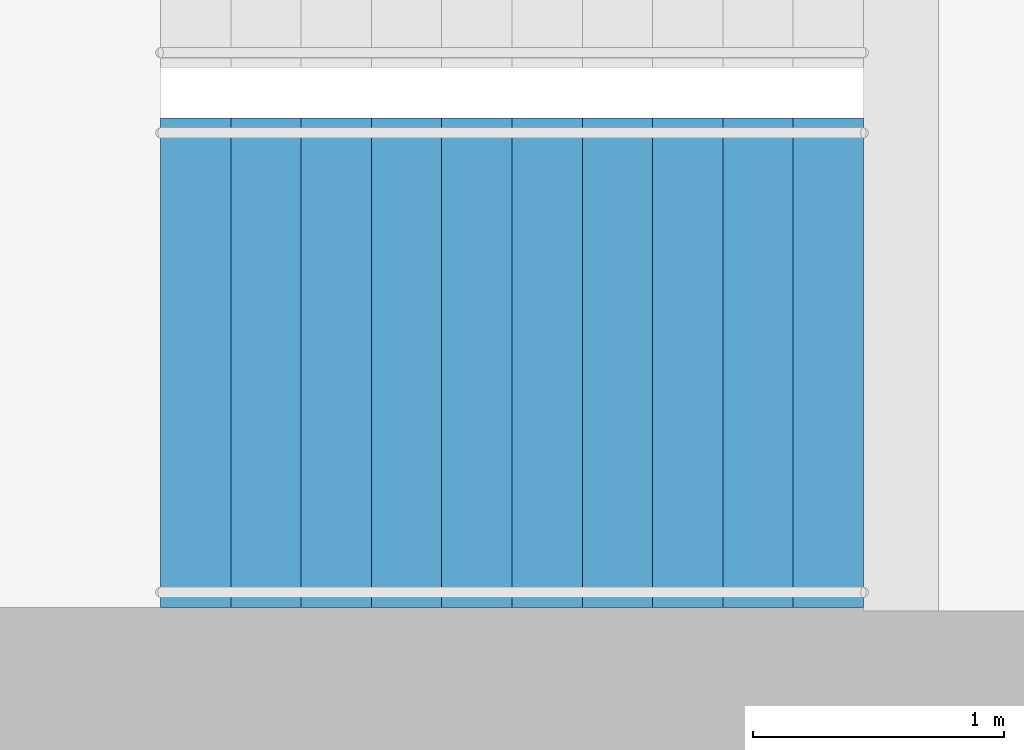
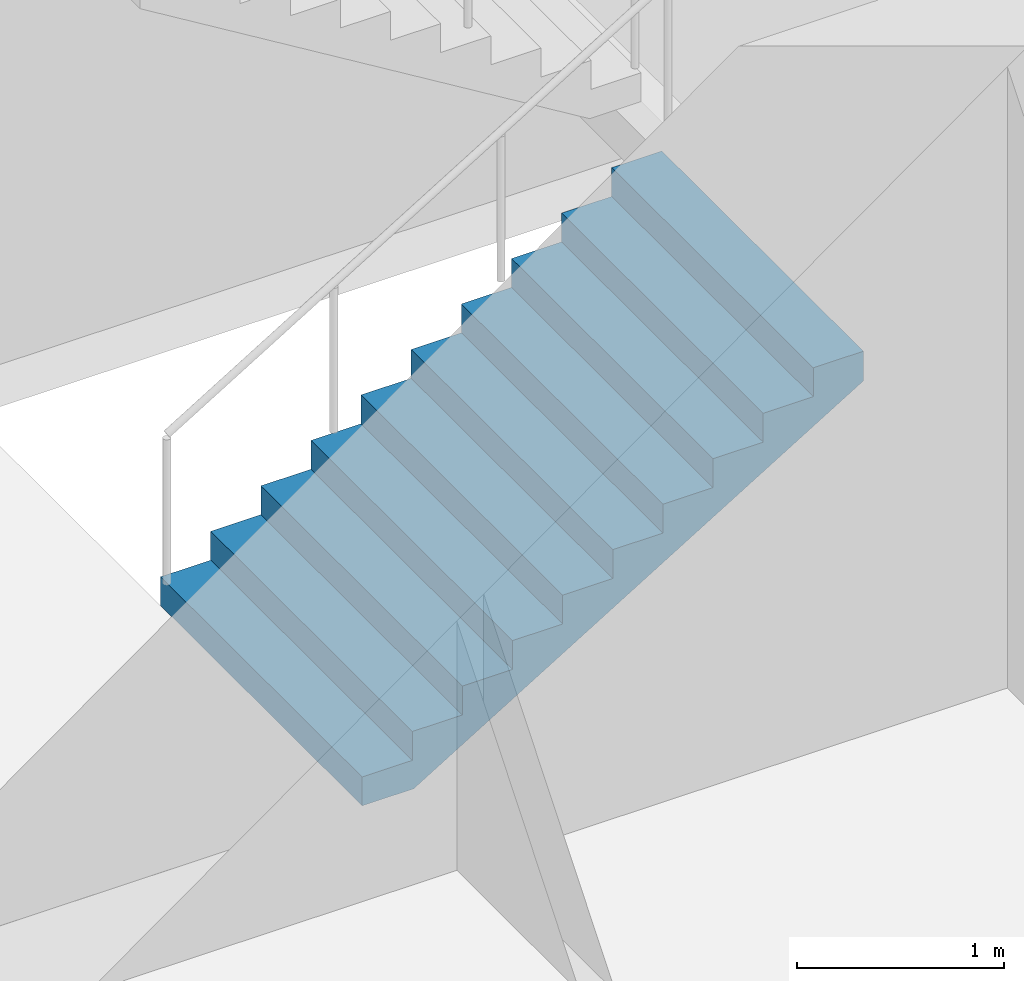
# One storey, part 20 of 24: 1 stair flight, 1 element without a shape of its own.
"""IFC4 building model written with IfcOpenShell, lengths in metres."""

import ifcopenshell
import ifcopenshell.guid

model = None  # the IFC model being written
_history = None  # IfcOwnerHistory: only IFC2X3 demands one
_inside = {}  # id of a spatial element -> (the spatial element, [elements in it])
_under = {}  # id of a project, library or spatial element -> (it, [spatial elements below it])
_declared = {}  # id of a project -> (the project, [libraries it declares])
_typed = {}  # id of a type object -> (the type object, [elements of that type])
_made_of = {}  # id of a material, layer set ... -> (it, [elements and type objects made of it])


def new_model(schema):
    """Start an empty IFC model of exactly this schema.

    Asked for "IFC4X3", IfcOpenShell would pick the latest addendum, in which some entities
    have other attributes; the version numbers below select the first issue.
    IFC2X3 requires an IfcOwnerHistory on every rooted entity: one is made here for all.
    """
    global model, _history
    if schema == "IFC4X3":
        model = ifcopenshell.file(schema_version=(4, 3, 0, 0))
    else:
        model = ifcopenshell.file(schema=schema)
    _inside.clear()
    _under.clear()
    _declared.clear()
    _typed.clear()
    _made_of.clear()
    _history = None
    if model.schema == "IFC2X3":
        org = make("IfcOrganization", Name="unknown")
        user = make(
            "IfcPersonAndOrganization",
            ThePerson=make("IfcPerson", FamilyName="unknown"),
            TheOrganization=org,
        )
        app = make(
            "IfcApplication",
            ApplicationDeveloper=org,
            Version="unknown",
            ApplicationFullName="unknown",
            ApplicationIdentifier="unknown",
        )
        _history = make(
            "IfcOwnerHistory",
            OwningUser=user,
            OwningApplication=app,
            ChangeAction="ADDED",
            CreationDate=0,
        )
    return model


def make(cls, **values):
    """One entity of the class cls with the attributes given. An attribute that is None is left unset."""
    return model.create_entity(
        cls, **{name: value for name, value in values.items() if value is not None}
    )


def rooted(cls, **values):
    """An entity with a GlobalId (a new one), such as an element, a storey or a relation."""
    return make(cls, GlobalId=ifcopenshell.guid.new(), OwnerHistory=_history, **values)


def si_unit(unit_type, name, prefix=None):
    """IfcSIUnit, for example si_unit("LENGTHUNIT", "METRE", prefix="MILLI")."""
    return make("IfcSIUnit", UnitType=unit_type, Prefix=prefix, Name=name)


def assignment(units):
    """IfcUnitAssignment: the units of a project."""
    return None if units is None else make("IfcUnitAssignment", Units=units)


def point(xyz):
    """IfcCartesianPoint."""
    return None if xyz is None else make("IfcCartesianPoint", Coordinates=xyz)


def direction(xyz):
    """IfcDirection."""
    return None if xyz is None else make("IfcDirection", DirectionRatios=xyz)


def frame(location, z_axis=None, x_axis=None):
    """IfcAxis2Placement3D, a coordinate frame: its origin and axes. An axis left out is left unset."""
    return make(
        "IfcAxis2Placement3D",
        Location=point(location),
        Axis=direction(z_axis),
        RefDirection=direction(x_axis),
    )


def origin():
    """The frame at (0, 0, 0) with its axes left unset."""
    return frame((0.0, 0.0, 0.0))


def place(relative_to, where):
    """IfcLocalPlacement: puts the frame where relative to a parent placement (None: the world)."""
    return make(
        "IfcLocalPlacement", PlacementRelTo=relative_to, RelativePlacement=where
    )


def context(
    kind, dimensions, precision=None, world=None, true_north=None, identifier=None
):
    """IfcGeometricRepresentationContext, for example the 3D "Model" context."""
    return make(
        "IfcGeometricRepresentationContext",
        ContextIdentifier=identifier,
        ContextType=kind,
        CoordinateSpaceDimension=dimensions,
        Precision=precision,
        WorldCoordinateSystem=world,
        TrueNorth=true_north,
    )


def subcontext(parent, identifier, kind, view, scale=None):
    """IfcGeometricRepresentationSubContext, for example "Body" below "Model"."""
    return make(
        "IfcGeometricRepresentationSubContext",
        ContextIdentifier=identifier,
        ContextType=kind,
        ParentContext=parent,
        TargetScale=scale,
        TargetView=view,
    )


def project(units=None, contexts=None):
    """IfcProject with its units and contexts."""
    return rooted(
        "IfcProject",
        Name="project",
        RepresentationContexts=contexts,
        UnitsInContext=assignment(units),
    )


def spatial(cls, under=None, at=None, **own):
    """A site, building, storey or space (cls), placed at a placement, below another one or the project."""
    s = rooted(cls, ObjectPlacement=at, **own)
    if under is not None:
        _under.setdefault(under.id(), (under, []))[1].append(s)
    return s


def point_list(points):
    """IfcCartesianPointList2D or 3D."""
    cls = (
        "IfcCartesianPointList2D" if len(points[0]) == 2 else "IfcCartesianPointList3D"
    )
    return make(cls, CoordList=points)


def triangles(points, corners, closed=None, point_numbers=None):
    """IfcTriangulatedFaceSet: each triangle names its three corners, points numbered from 1."""
    return make(
        "IfcTriangulatedFaceSet",
        Coordinates=point_list(points),
        Closed=closed,
        CoordIndex=corners,
        PnIndex=point_numbers,
    )


def shape(context_of_items, identifier, shape_type, items):
    """IfcShapeRepresentation: the items that make up one representation, for example the "Body"."""
    return make(
        "IfcShapeRepresentation",
        ContextOfItems=context_of_items,
        RepresentationIdentifier=identifier,
        RepresentationType=shape_type,
        Items=items,
    )


def material(Name=None, Category=None):
    """IfcMaterial."""
    return make("IfcMaterial", Name=Name, Category=Category)


def made_of(thing, what):
    """Note that an element or type object is made of a material, layer set ...; save() writes the relation."""
    if what is not None:
        _made_of.setdefault(what.id(), (what, []))[1].append(thing)
    return thing


def type_object(cls, material=None, **own):
    """A type object (cls), such as IfcWallType, which elements share."""
    return made_of(rooted(cls, **own), material)


def element(
    cls,
    number,
    at=None,
    inside=None,
    cuts=None,
    type_object=None,
    material=None,
    context=None,
    identifier="Body",
    shape_type=None,
    held_by="IfcProductDefinitionShape",
    body=None,
    shapes=None,
    **own,
):
    """One element of the class cls, such as IfcWall. Its Tag is "e" and its number.

    at: its placement. inside: the storey or other place that contains it. cuts: it is an
    opening in that element (IfcRelVoidsElement). A single representation is given by context,
    identifier, shape_type and body (its items); several are given by shapes. held_by: the class
    of the entity that holds the representations. save() writes the other relations.
    """
    e = rooted(cls, Tag="e%d" % number, ObjectPlacement=at, **own)
    if body is not None:
        shapes = [shape(context, identifier, shape_type, body)]
    if shapes is not None:
        e.Representation = make(held_by, Representations=shapes)
    if inside is not None:
        _inside.setdefault(inside.id(), (inside, []))[1].append(e)
    if cuts is not None:
        rooted(
            "IfcRelVoidsElement", RelatingBuildingElement=cuts, RelatedOpeningElement=e
        )
    if type_object is not None:
        _typed.setdefault(type_object.id(), (type_object, []))[1].append(e)
    return made_of(e, material)


def aggregate(whole, parts):
    """IfcRelAggregates: a whole, such as a stair, and the parts it consists of."""
    return rooted("IfcRelAggregates", RelatingObject=whole, RelatedObjects=parts)


def save(model, path):
    """Write the relations noted so far, then the file.

    IfcRelAggregates (storeys below a building ...), IfcRelContainedInSpatialStructure (elements
    in a storey), IfcRelDefinesByType, IfcRelAssociatesMaterial and IfcRelDeclares: one each for
    every whole, place, type object, material and project.
    """
    for whole, parts in _under.values():
        aggregate(whole, parts)
    for where, things in _inside.values():
        rooted(
            "IfcRelContainedInSpatialStructure",
            RelatedElements=things,
            RelatingStructure=where,
        )
    for kind, things in _typed.values():
        rooted("IfcRelDefinesByType", RelatedObjects=things, RelatingType=kind)
    for what, things in _made_of.values():
        rooted("IfcRelAssociatesMaterial", RelatedObjects=things, RelatingMaterial=what)
    for by, libraries in _declared.values():
        rooted("IfcRelDeclares", RelatingContext=by, RelatedDefinitions=libraries)
    model.write(path)


model = new_model("IFC4")

# Units and contexts
model_context = context("Model", 3, precision=1e-05, world=origin(), true_north=direction((0.0, 1.0)))
body_context = subcontext(model_context, "Body", "Model", "MODEL_VIEW")
ifc_project = project(units=[si_unit("LENGTHUNIT", "METRE"), si_unit("AREAUNIT", "SQUARE_METRE"), si_unit("VOLUMEUNIT", "CUBIC_METRE"), si_unit("PLANEANGLEUNIT", "RADIAN"), si_unit("MASSUNIT", "GRAM", prefix="KILO")], contexts=[model_context])

# Site, building, storey
site_placement = place(None, origin())
site = spatial("IfcSite", under=ifc_project, at=site_placement, CompositionType="ELEMENT")
building_placement = place(site_placement, origin())
building = spatial("IfcBuilding", under=site, at=building_placement, Name="Orbita Commons", CompositionType="ELEMENT")
storey_placement = place(building_placement, frame((0.0, 0.0, 239.050048828125)))
storey = spatial("IfcBuildingStorey", under=building, at=storey_placement, Name="L59", CompositionType="ELEMENT", Elevation=239.050048828125)

# Stair, stair flight
ifc_material_1 = material(Name="Precast concrete C40/50", Category="concrete")
stair_type = type_object("IfcStairType", Name="Exit stair S1 2 flights 11 risers 170", PredefinedType="HALF_TURN_STAIR", material=ifc_material_1)
stair_placement = place(storey_placement, origin())
stair = element("IfcStair", 1, at=stair_placement, inside=storey, type_object=stair_type, Name="Exit stair S1 L59", PredefinedType="HALF_TURN_STAIR")
ifc_material_2 = material(Name="Precast concrete C40/50", Category="concrete")
stair_flight_type = type_object("IfcStairFlightType", Name="Stair flight 11 risers 170 x 280", PredefinedType="STRAIGHT", material=ifc_material_2)
stair_flight_placement = place(storey_placement, frame((20.449951171875, 27.125, 0.0), z_axis=(0.0, 0.0, 1.0), x_axis=(1.0, 0.0, 0.0)))
stair_flight = element("IfcStairFlight", 2, at=stair_flight_placement, type_object=stair_flight_type, Name="S1 flight 1", NumberOfRisers=11, NumberOfTreads=10, PredefinedType="STRAIGHT", RiserHeight=0.170454545, TreadLength=0.28, context=body_context, shape_type="Tessellation", body=[
    triangles([(0.0, 0.974976, 0.0), (0.0, 0.974976, 0.021307), (0.0, 0.81248, 0.021307), (0.0, 0.81248, 0.0), (0.0, 0.649984, 0.021307), (0.0, 0.649984, 0.0), (0.0, 0.487488, 0.021307), (0.0, 0.487488, 0.0), (0.0, 0.324992, 0.021307), (0.0, 0.324992, 0.0), (0.0, 0.162496, 0.021307), (0.0, 0.162496, 0.0), (0.0, 0.0, 0.021307), (0.0, 0.0, 0.0), (0.0, -0.162496, 0.021307), (0.0, -0.162496, 0.0), (0.0, -0.324992, 0.021307), (0.0, -0.324992, 0.0), (0.0, -0.487488, 0.021307), (0.0, -0.487488, 0.0), (0.0, -0.649984, 0.021307), (0.0, -0.649984, 0.0), (0.0, -0.81248, 0.021307), (0.0, -0.81248, 0.0), (0.0, -0.974976, 0.021307), (0.0, -0.974976, 0.0), (0.0, 0.974976, 0.042614), (0.0, 0.81248, 0.042614), (0.0, 0.649984, 0.042614), (0.0, 0.487488, 0.042614), (0.0, 0.324992, 0.042614), (0.0, 0.162496, 0.042614), (0.0, 0.0, 0.042614), (0.0, -0.162496, 0.042614), (0.0, -0.324992, 0.042614), (0.0, -0.487488, 0.042614), (0.0, -0.649984, 0.042614), (0.0, -0.81248, 0.042614), (0.0, -0.974976, 0.042614), (0.0, 0.974976, 0.06392), (0.0, 0.81248, 0.06392), (0.0, 0.649984, 0.06392), (0.0, 0.487488, 0.06392), (0.0, 0.324992, 0.06392), (0.0, 0.162496, 0.06392), (0.0, 0.0, 0.06392), (0.0, -0.162496, 0.06392), (0.0, -0.324992, 0.06392), (0.0, -0.487488, 0.06392), (0.0, -0.649984, 0.06392), (0.0, -0.81248, 0.06392), (0.0, -0.974976, 0.06392), (0.0, 0.974976, 0.085227), (0.0, 0.81248, 0.085227), (0.0, 0.649984, 0.085227), (0.0, 0.487488, 0.085227), (0.0, 0.324992, 0.085227), (0.0, 0.162496, 0.085227), (0.0, 0.0, 0.085227), (0.0, -0.162496, 0.085227), (0.0, -0.324992, 0.085227), (0.0, -0.487488, 0.085227), (0.0, -0.649984, 0.085227), (0.0, -0.81248, 0.085227), (0.0, -0.974976, 0.085227), (0.0, 0.974976, 0.106534), (0.0, 0.81248, 0.106534), (0.0, 0.649984, 0.106534), (0.0, 0.487488, 0.106534), (0.0, 0.324992, 0.106534), (0.0, 0.162496, 0.106534), (0.0, 0.0, 0.106534), (0.0, -0.162496, 0.106534), (0.0, -0.324992, 0.106534), (0.0, -0.487488, 0.106534), (0.0, -0.649984, 0.106534), (0.0, -0.81248, 0.106534), (0.0, -0.974976, 0.106534), (0.0, 0.974976, 0.127841), (0.0, 0.81248, 0.127841), (0.0, 0.649984, 0.127841), (0.0, 0.487488, 0.127841), (0.0, 0.324992, 0.127841), (0.0, 0.162496, 0.127841), (0.0, 0.0, 0.127841), (0.0, -0.162496, 0.127841), (0.0, -0.324992, 0.127841), (0.0, -0.487488, 0.127841), (0.0, -0.649984, 0.127841), (0.0, -0.81248, 0.127841), (0.0, -0.974976, 0.127841), (0.0, 0.974976, 0.149148), (0.0, 0.81248, 0.149148), (0.0, 0.649984, 0.149148), (0.0, 0.487488, 0.149148), (0.0, 0.324992, 0.149148), (0.0, 0.162496, 0.149148), (0.0, 0.0, 0.149148), (0.0, -0.162496, 0.149148), (0.0, -0.324992, 0.149148), (0.0, -0.487488, 0.149148), (0.0, -0.649984, 0.149148), (0.0, -0.81248, 0.149148), (0.0, -0.974976, 0.149148), (0.0, 0.974976, 0.170455), (0.0, 0.81248, 0.170455), (0.0, 0.649984, 0.170455), (0.0, 0.487488, 0.170455), (0.0, 0.324992, 0.170455), (0.0, 0.162496, 0.170455), (0.0, 0.0, 0.170455), (0.0, -0.162496, 0.170455), (0.0, -0.324992, 0.170455), (0.0, -0.487488, 0.170455), (0.0, -0.649984, 0.170455), (0.0, -0.81248, 0.170455), (0.0, -0.974976, 0.170455), (0.28, 0.974976, 0.170455), (0.28, 0.81248, 0.170455), (0.28, 0.649984, 0.170455), (0.28, 0.487488, 0.170455), (0.28, 0.324992, 0.170455), (0.28, 0.162496, 0.170455), (0.28, 0.0, 0.170455), (0.28, -0.162496, 0.170455), (0.28, -0.324992, 0.170455), (0.28, -0.487488, 0.170455), (0.28, -0.649984, 0.170455), (0.28, -0.81248, 0.170455), (0.28, -0.974976, 0.170455), (0.28, 0.974976, 0.340909), (0.28, 0.81248, 0.340909), (0.28, 0.649984, 0.340909), (0.28, 0.487488, 0.340909), (0.28, 0.324992, 0.340909), (0.28, 0.162496, 0.340909), (0.28, 0.0, 0.340909), (0.28, -0.162496, 0.340909), (0.28, -0.324992, 0.340909), (0.28, -0.487488, 0.340909), (0.28, -0.649984, 0.340909), (0.28, -0.81248, 0.340909), (0.28, -0.974976, 0.340909), (0.56, 0.974976, 0.340909), (0.56, 0.81248, 0.340909), (0.56, 0.649984, 0.340909), (0.56, 0.487488, 0.340909), (0.56, 0.324992, 0.340909), (0.56, 0.162496, 0.340909), (0.56, 0.0, 0.340909), (0.56, -0.162496, 0.340909), (0.56, -0.324992, 0.340909), (0.56, -0.487488, 0.340909), (0.56, -0.649984, 0.340909), (0.56, -0.81248, 0.340909), (0.56, -0.974976, 0.340909), (0.56, 0.974976, 0.511364), (0.56, 0.81248, 0.511364), (0.56, 0.649984, 0.511364), (0.56, 0.487488, 0.511364), (0.56, 0.324992, 0.511364), (0.56, 0.162496, 0.511364), (0.56, 0.0, 0.511364), (0.56, -0.162496, 0.511364), (0.56, -0.324992, 0.511364), (0.56, -0.487488, 0.511364), (0.56, -0.649984, 0.511364), (0.56, -0.81248, 0.511364), (0.56, -0.974976, 0.511364), (0.84, 0.974976, 0.511364), (0.84, 0.81248, 0.511364), (0.84, 0.649984, 0.511364), (0.84, 0.487488, 0.511364), (0.84, 0.324992, 0.511364), (0.84, 0.162496, 0.511364), (0.84, 0.0, 0.511364), (0.84, -0.162496, 0.511364), (0.84, -0.324992, 0.511364), (0.84, -0.487488, 0.511364), (0.84, -0.649984, 0.511364), (0.84, -0.81248, 0.511364), (0.84, -0.974976, 0.511364), (0.84, 0.974976, 0.681818), (0.84, 0.81248, 0.681818), (0.84, 0.649984, 0.681818), (0.84, 0.487488, 0.681818), (0.84, 0.324992, 0.681818), (0.84, 0.162496, 0.681818), (0.84, 0.0, 0.681818), (0.84, -0.162496, 0.681818), (0.84, -0.324992, 0.681818), (0.84, -0.487488, 0.681818), (0.84, -0.649984, 0.681818), (0.84, -0.81248, 0.681818), (0.84, -0.974976, 0.681818), (1.12, 0.974976, 0.681818), (1.12, 0.81248, 0.681818), (1.12, 0.649984, 0.681818), (1.12, 0.487488, 0.681818), (1.12, 0.324992, 0.681818), (1.12, 0.162496, 0.681818), (1.12, 0.0, 0.681818), (1.12, -0.162496, 0.681818), (1.12, -0.324992, 0.681818), (1.12, -0.487488, 0.681818), (1.12, -0.649984, 0.681818), (1.12, -0.81248, 0.681818), (1.12, -0.974976, 0.681818), (1.12, 0.974976, 0.852273), (1.12, 0.81248, 0.852273), (1.12, 0.649984, 0.852273), (1.12, 0.487488, 0.852273), (1.12, 0.324992, 0.852273), (1.12, 0.162496, 0.852273), (1.12, 0.0, 0.852273), (1.12, -0.162496, 0.852273), (1.12, -0.324992, 0.852273), (1.12, -0.487488, 0.852273), (1.12, -0.649984, 0.852273), (1.12, -0.81248, 0.852273), (1.12, -0.974976, 0.852273), (1.4, 0.974976, 0.852273), (1.4, 0.81248, 0.852273), (1.4, 0.649984, 0.852273), (1.4, 0.487488, 0.852273), (1.4, 0.324992, 0.852273), (1.4, 0.162496, 0.852273), (1.4, 0.0, 0.852273), (1.4, -0.162496, 0.852273), (1.4, -0.324992, 0.852273), (1.4, -0.487488, 0.852273), (1.4, -0.649984, 0.852273), (1.4, -0.81248, 0.852273), (1.4, -0.974976, 0.852273), (1.4, 0.974976, 1.022727), (1.4, 0.81248, 1.022727), (1.4, 0.649984, 1.022727), (1.4, 0.487488, 1.022727), (1.4, 0.324992, 1.022727), (1.4, 0.162496, 1.022727), (1.4, 0.0, 1.022727), (1.4, -0.162496, 1.022727), (1.4, -0.324992, 1.022727), (1.4, -0.487488, 1.022727), (1.4, -0.649984, 1.022727), (1.4, -0.81248, 1.022727), (1.4, -0.974976, 1.022727), (1.68, 0.974976, 1.022727), (1.68, 0.81248, 1.022727), (1.68, 0.649984, 1.022727), (1.68, 0.487488, 1.022727), (1.68, 0.324992, 1.022727), (1.68, 0.162496, 1.022727), (1.68, 0.0, 1.022727), (1.68, -0.162496, 1.022727), (1.68, -0.324992, 1.022727), (1.68, -0.487488, 1.022727), (1.68, -0.649984, 1.022727), (1.68, -0.81248, 1.022727), (1.68, -0.974976, 1.022727), (1.68, 0.974976, 1.193182), (1.68, 0.81248, 1.193182), (1.68, 0.649984, 1.193182), (1.68, 0.487488, 1.193182), (1.68, 0.324992, 1.193182), (1.68, 0.162496, 1.193182), (1.68, 0.0, 1.193182), (1.68, -0.162496, 1.193182), (1.68, -0.324992, 1.193182), (1.68, -0.487488, 1.193182), (1.68, -0.649984, 1.193182), (1.68, -0.81248, 1.193182), (1.68, -0.974976, 1.193182), (1.96, 0.974976, 1.193182), (1.96, 0.81248, 1.193182), (1.96, 0.649984, 1.193182), (1.96, 0.487488, 1.193182), (1.96, 0.324992, 1.193182), (1.96, 0.162496, 1.193182), (1.96, 0.0, 1.193182), (1.96, -0.162496, 1.193182), (1.96, -0.324992, 1.193182), (1.96, -0.487488, 1.193182), (1.96, -0.649984, 1.193182), (1.96, -0.81248, 1.193182), (1.96, -0.974976, 1.193182), (1.96, 0.974976, 1.363636), (1.96, 0.81248, 1.363636), (1.96, 0.649984, 1.363636), (1.96, 0.487488, 1.363636), (1.96, 0.324992, 1.363636), (1.96, 0.162496, 1.363636), (1.96, 0.0, 1.363636), (1.96, -0.162496, 1.363636), (1.96, -0.324992, 1.363636), (1.96, -0.487488, 1.363636), (1.96, -0.649984, 1.363636), (1.96, -0.81248, 1.363636), (1.96, -0.974976, 1.363636), (2.24, 0.974976, 1.363636), (2.24, 0.81248, 1.363636), (2.24, 0.649984, 1.363636), (2.24, 0.487488, 1.363636), (2.24, 0.324992, 1.363636), (2.24, 0.162496, 1.363636), (2.24, 0.0, 1.363636), (2.24, -0.162496, 1.363636), (2.24, -0.324992, 1.363636), (2.24, -0.487488, 1.363636), (2.24, -0.649984, 1.363636), (2.24, -0.81248, 1.363636), (2.24, -0.974976, 1.363636), (2.24, 0.974976, 1.534091), (2.24, 0.81248, 1.534091), (2.24, 0.649984, 1.534091), (2.24, 0.487488, 1.534091), (2.24, 0.324992, 1.534091), (2.24, 0.162496, 1.534091), (2.24, 0.0, 1.534091), (2.24, -0.162496, 1.534091), (2.24, -0.324992, 1.534091), (2.24, -0.487488, 1.534091), (2.24, -0.649984, 1.534091), (2.24, -0.81248, 1.534091), (2.24, -0.974976, 1.534091), (2.52, 0.974976, 1.534091), (2.52, 0.81248, 1.534091), (2.52, 0.649984, 1.534091), (2.52, 0.487488, 1.534091), (2.52, 0.324992, 1.534091), (2.52, 0.162496, 1.534091), (2.52, 0.0, 1.534091), (2.52, -0.162496, 1.534091), (2.52, -0.324992, 1.534091), (2.52, -0.487488, 1.534091), (2.52, -0.649984, 1.534091), (2.52, -0.81248, 1.534091), (2.52, -0.974976, 1.534091), (2.52, 0.974976, 1.704545), (2.52, 0.81248, 1.704545), (2.52, 0.649984, 1.704545), (2.52, 0.487488, 1.704545), (2.52, 0.324992, 1.704545), (2.52, 0.162496, 1.704545), (2.52, 0.0, 1.704545), (2.52, -0.162496, 1.704545), (2.52, -0.324992, 1.704545), (2.52, -0.487488, 1.704545), (2.52, -0.649984, 1.704545), (2.52, -0.81248, 1.704545), (2.52, -0.974976, 1.704545), (2.8, 0.974976, 1.704545), (2.8, 0.81248, 1.704545), (2.8, 0.649984, 1.704545), (2.8, 0.487488, 1.704545), (2.8, 0.324992, 1.704545), (2.8, 0.162496, 1.704545), (2.8, 0.0, 1.704545), (2.8, -0.162496, 1.704545), (2.8, -0.324992, 1.704545), (2.8, -0.487488, 1.704545), (2.8, -0.649984, 1.704545), (2.8, -0.81248, 1.704545), (2.8, -0.974976, 1.704545), (2.8, 0.974976, 1.682609), (2.8, 0.81248, 1.682609), (2.8, 0.649984, 1.682609), (2.8, 0.487488, 1.682609), (2.8, 0.324992, 1.682609), (2.8, 0.162496, 1.682609), (2.8, 0.0, 1.682609), (2.8, -0.162496, 1.682609), (2.8, -0.324992, 1.682609), (2.8, -0.487488, 1.682609), (2.8, -0.649984, 1.682609), (2.8, -0.81248, 1.682609), (2.8, -0.974976, 1.682609), (2.8, 0.974976, 1.660672), (2.8, 0.81248, 1.660672), (2.8, 0.649984, 1.660672), (2.8, 0.487488, 1.660672), (2.8, 0.324992, 1.660672), (2.8, 0.162496, 1.660672), (2.8, 0.0, 1.660672), (2.8, -0.162496, 1.660672), (2.8, -0.324992, 1.660672), (2.8, -0.487488, 1.660672), (2.8, -0.649984, 1.660672), (2.8, -0.81248, 1.660672), (2.8, -0.974976, 1.660672), (2.8, 0.974976, 1.638735), (2.8, 0.81248, 1.638735), (2.8, 0.649984, 1.638735), (2.8, 0.487488, 1.638735), (2.8, 0.324992, 1.638735), (2.8, 0.162496, 1.638735), (2.8, 0.0, 1.638735), (2.8, -0.162496, 1.638735), (2.8, -0.324992, 1.638735), (2.8, -0.487488, 1.638735), (2.8, -0.649984, 1.638735), (2.8, -0.81248, 1.638735), (2.8, -0.974976, 1.638735), (2.8, 0.974976, 1.616798), (2.8, 0.81248, 1.616798), (2.8, 0.649984, 1.616798), (2.8, 0.487488, 1.616798), (2.8, 0.324992, 1.616798), (2.8, 0.162496, 1.616798), (2.8, 0.0, 1.616798), (2.8, -0.162496, 1.616798), (2.8, -0.324992, 1.616798), (2.8, -0.487488, 1.616798), (2.8, -0.649984, 1.616798), (2.8, -0.81248, 1.616798), (2.8, -0.974976, 1.616798), (2.8, 0.974976, 1.594861), (2.8, 0.81248, 1.594861), (2.8, 0.649984, 1.594861), (2.8, 0.487488, 1.594861), (2.8, 0.324992, 1.594861), (2.8, 0.162496, 1.594861), (2.8, 0.0, 1.594861), (2.8, -0.162496, 1.594861), (2.8, -0.324992, 1.594861), (2.8, -0.487488, 1.594861), (2.8, -0.649984, 1.594861), (2.8, -0.81248, 1.594861), (2.8, -0.974976, 1.594861), (2.8, 0.974976, 1.572925), (2.8, 0.81248, 1.572925), (2.8, 0.649984, 1.572925), (2.8, 0.487488, 1.572925), (2.8, 0.324992, 1.572925), (2.8, 0.162496, 1.572925), (2.8, 0.0, 1.572925), (2.8, -0.162496, 1.572925), (2.8, -0.324992, 1.572925), (2.8, -0.487488, 1.572925), (2.8, -0.649984, 1.572925), (2.8, -0.81248, 1.572925), (2.8, -0.974976, 1.572925), (2.8, 0.974976, 1.550988), (2.8, 0.81248, 1.550988), (2.8, 0.649984, 1.550988), (2.8, 0.487488, 1.550988), (2.8, 0.324992, 1.550988), (2.8, 0.162496, 1.550988), (2.8, 0.0, 1.550988), (2.8, -0.162496, 1.550988), (2.8, -0.324992, 1.550988), (2.8, -0.487488, 1.550988), (2.8, -0.649984, 1.550988), (2.8, -0.81248, 1.550988), (2.8, -0.974976, 1.550988), (2.8, 0.974976, 1.529051), (2.8, 0.81248, 1.529051), (2.8, 0.649984, 1.529051), (2.8, 0.487488, 1.529051), (2.8, 0.324992, 1.529051), (2.8, 0.162496, 1.529051), (2.8, 0.0, 1.529051), (2.8, -0.162496, 1.529051), (2.8, -0.324992, 1.529051), (2.8, -0.487488, 1.529051), (2.8, -0.649984, 1.529051), (2.8, -0.81248, 1.529051), (2.8, -0.974976, 1.529051), (0.288279, 0.974976, 0.0), (0.288279, 0.81248, 0.0), (0.288279, 0.649984, 0.0), (0.288279, 0.487488, 0.0), (0.288279, 0.324992, 0.0), (0.288279, 0.162496, 0.0), (0.288279, 0.0, 0.0), (0.288279, -0.162496, 0.0), (0.288279, -0.324992, 0.0), (0.288279, -0.487488, 0.0), (0.288279, -0.649984, 0.0), (0.288279, -0.81248, 0.0), (0.288279, -0.974976, 0.0)], [[3, 2, 1], [4, 3, 1], [5, 3, 4], [6, 5, 4], [7, 5, 6], [8, 7, 6], [9, 7, 8], [10, 9, 8], [11, 9, 10], [12, 11, 10], [13, 11, 12], [14, 13, 12], [15, 13, 14], [16, 15, 14], [17, 15, 16], [18, 17, 16], [19, 17, 18], [20, 19, 18], [21, 19, 20], [22, 21, 20], [23, 21, 22], [24, 23, 22], [25, 23, 24], [26, 25, 24], [28, 27, 2], [3, 28, 2], [29, 28, 3], [5, 29, 3], [30, 29, 5], [7, 30, 5], [31, 30, 7], [9, 31, 7], [32, 31, 9], [11, 32, 9], [33, 32, 11], [13, 33, 11], [34, 33, 13], [15, 34, 13], [35, 34, 15], [17, 35, 15], [36, 35, 17], [19, 36, 17], [37, 36, 19], [21, 37, 19], [38, 37, 21], [23, 38, 21], [39, 38, 23], [25, 39, 23], [41, 40, 27], [28, 41, 27], [42, 41, 28], [29, 42, 28], [43, 42, 29], [30, 43, 29], [44, 43, 30], [31, 44, 30], [45, 44, 31], [32, 45, 31], [46, 45, 32], [33, 46, 32], [47, 46, 33], [34, 47, 33], [48, 47, 34], [35, 48, 34], [49, 48, 35], [36, 49, 35], [50, 49, 36], [37, 50, 36], [51, 50, 37], [38, 51, 37], [52, 51, 38], [39, 52, 38], [54, 53, 40], [41, 54, 40], [55, 54, 41], [42, 55, 41], [56, 55, 42], [43, 56, 42], [57, 56, 43], [44, 57, 43], [58, 57, 44], [45, 58, 44], [59, 58, 45], [46, 59, 45], [60, 59, 46], [47, 60, 46], [61, 60, 47], [48, 61, 47], [62, 61, 48], [49, 62, 48], [63, 62, 49], [50, 63, 49], [64, 63, 50], [51, 64, 50], [65, 64, 51], [52, 65, 51], [67, 66, 53], [54, 67, 53], [68, 67, 54], [55, 68, 54], [69, 68, 55], [56, 69, 55], [70, 69, 56], [57, 70, 56], [71, 70, 57], [58, 71, 57], [72, 71, 58], [59, 72, 58], [73, 72, 59], [60, 73, 59], [74, 73, 60], [61, 74, 60], [75, 74, 61], [62, 75, 61], [76, 75, 62], [63, 76, 62], [77, 76, 63], [64, 77, 63], [78, 77, 64], [65, 78, 64], [80, 79, 66], [67, 80, 66], [81, 80, 67], [68, 81, 67], [82, 81, 68], [69, 82, 68], [83, 82, 69], [70, 83, 69], [84, 83, 70], [71, 84, 70], [85, 84, 71], [72, 85, 71], [86, 85, 72], [73, 86, 72], [87, 86, 73], [74, 87, 73], [88, 87, 74], [75, 88, 74], [89, 88, 75], [76, 89, 75], [90, 89, 76], [77, 90, 76], [91, 90, 77], [78, 91, 77], [93, 92, 79], [80, 93, 79], [94, 93, 80], [81, 94, 80], [95, 94, 81], [82, 95, 81], [96, 95, 82], [83, 96, 82], [97, 96, 83], [84, 97, 83], [98, 97, 84], [85, 98, 84], [99, 98, 85], [86, 99, 85], [100, 99, 86], [87, 100, 86], [101, 100, 87], [88, 101, 87], [102, 101, 88], [89, 102, 88], [103, 102, 89], [90, 103, 89], [104, 103, 90], [91, 104, 90], [106, 105, 92], [93, 106, 92], [107, 106, 93], [94, 107, 93], [108, 107, 94], [95, 108, 94], [109, 108, 95], [96, 109, 95], [110, 109, 96], [97, 110, 96], [111, 110, 97], [98, 111, 97], [112, 111, 98], [99, 112, 98], [113, 112, 99], [100, 113, 99], [114, 113, 100], [101, 114, 100], [115, 114, 101], [102, 115, 101], [116, 115, 102], [103, 116, 102], [117, 116, 103], [104, 117, 103], [119, 118, 105], [106, 119, 105], [120, 119, 106], [107, 120, 106], [121, 120, 107], [108, 121, 107], [122, 121, 108], [109, 122, 108], [123, 122, 109], [110, 123, 109], [124, 123, 110], [111, 124, 110], [125, 124, 111], [112, 125, 111], [126, 125, 112], [113, 126, 112], [127, 126, 113], [114, 127, 113], [128, 127, 114], [115, 128, 114], [129, 128, 115], [116, 129, 115], [130, 129, 116], [117, 130, 116], [132, 131, 118], [119, 132, 118], [133, 132, 119], [120, 133, 119], [134, 133, 120], [121, 134, 120], [135, 134, 121], [122, 135, 121], [136, 135, 122], [123, 136, 122], [137, 136, 123], [124, 137, 123], [138, 137, 124], [125, 138, 124], [139, 138, 125], [126, 139, 125], [140, 139, 126], [127, 140, 126], [141, 140, 127], [128, 141, 127], [142, 141, 128], [129, 142, 128], [143, 142, 129], [130, 143, 129], [145, 144, 131], [132, 145, 131], [146, 145, 132], [133, 146, 132], [147, 146, 133], [134, 147, 133], [148, 147, 134], [135, 148, 134], [149, 148, 135], [136, 149, 135], [150, 149, 136], [137, 150, 136], [151, 150, 137], [138, 151, 137], [152, 151, 138], [139, 152, 138], [153, 152, 139], [140, 153, 139], [154, 153, 140], [141, 154, 140], [155, 154, 141], [142, 155, 141], [156, 155, 142], [143, 156, 142], [158, 157, 144], [145, 158, 144], [159, 158, 145], [146, 159, 145], [160, 159, 146], [147, 160, 146], [161, 160, 147], [148, 161, 147], [162, 161, 148], [149, 162, 148], [163, 162, 149], [150, 163, 149], [164, 163, 150], [151, 164, 150], [165, 164, 151], [152, 165, 151], [166, 165, 152], [153, 166, 152], [167, 166, 153], [154, 167, 153], [168, 167, 154], [155, 168, 154], [169, 168, 155], [156, 169, 155], [171, 170, 157], [158, 171, 157], [172, 171, 158], [159, 172, 158], [173, 172, 159], [160, 173, 159], [174, 173, 160], [161, 174, 160], [175, 174, 161], [162, 175, 161], [176, 175, 162], [163, 176, 162], [177, 176, 163], [164, 177, 163], [178, 177, 164], [165, 178, 164], [179, 178, 165], [166, 179, 165], [180, 179, 166], [167, 180, 166], [181, 180, 167], [168, 181, 167], [182, 181, 168], [169, 182, 168], [184, 183, 170], [171, 184, 170], [185, 184, 171], [172, 185, 171], [186, 185, 172], [173, 186, 172], [187, 186, 173], [174, 187, 173], [188, 187, 174], [175, 188, 174], [189, 188, 175], [176, 189, 175], [190, 189, 176], [177, 190, 176], [191, 190, 177], [178, 191, 177], [192, 191, 178], [179, 192, 178], [193, 192, 179], [180, 193, 179], [194, 193, 180], [181, 194, 180], [195, 194, 181], [182, 195, 181], [197, 196, 183], [184, 197, 183], [198, 197, 184], [185, 198, 184], [199, 198, 185], [186, 199, 185], [200, 199, 186], [187, 200, 186], [201, 200, 187], [188, 201, 187], [202, 201, 188], [189, 202, 188], [203, 202, 189], [190, 203, 189], [204, 203, 190], [191, 204, 190], [205, 204, 191], [192, 205, 191], [206, 205, 192], [193, 206, 192], [207, 206, 193], [194, 207, 193], [208, 207, 194], [195, 208, 194], [210, 209, 196], [197, 210, 196], [211, 210, 197], [198, 211, 197], [212, 211, 198], [199, 212, 198], [213, 212, 199], [200, 213, 199], [214, 213, 200], [201, 214, 200], [215, 214, 201], [202, 215, 201], [216, 215, 202], [203, 216, 202], [217, 216, 203], [204, 217, 203], [218, 217, 204], [205, 218, 204], [219, 218, 205], [206, 219, 205], [220, 219, 206], [207, 220, 206], [221, 220, 207], [208, 221, 207], [223, 222, 209], [210, 223, 209], [224, 223, 210], [211, 224, 210], [225, 224, 211], [212, 225, 211], [226, 225, 212], [213, 226, 212], [227, 226, 213], [214, 227, 213], [228, 227, 214], [215, 228, 214], [229, 228, 215], [216, 229, 215], [230, 229, 216], [217, 230, 216], [231, 230, 217], [218, 231, 217], [232, 231, 218], [219, 232, 218], [233, 232, 219], [220, 233, 219], [234, 233, 220], [221, 234, 220], [236, 235, 222], [223, 236, 222], [237, 236, 223], [224, 237, 223], [238, 237, 224], [225, 238, 224], [239, 238, 225], [226, 239, 225], [240, 239, 226], [227, 240, 226], [241, 240, 227], [228, 241, 227], [242, 241, 228], [229, 242, 228], [243, 242, 229], [230, 243, 229], [244, 243, 230], [231, 244, 230], [245, 244, 231], [232, 245, 231], [246, 245, 232], [233, 246, 232], [247, 246, 233], [234, 247, 233], [249, 248, 235], [236, 249, 235], [250, 249, 236], [237, 250, 236], [251, 250, 237], [238, 251, 237], [252, 251, 238], [239, 252, 238], [253, 252, 239], [240, 253, 239], [254, 253, 240], [241, 254, 240], [255, 254, 241], [242, 255, 241], [256, 255, 242], [243, 256, 242], [257, 256, 243], [244, 257, 243], [258, 257, 244], [245, 258, 244], [259, 258, 245], [246, 259, 245], [260, 259, 246], [247, 260, 246], [262, 261, 248], [249, 262, 248], [263, 262, 249], [250, 263, 249], [264, 263, 250], [251, 264, 250], [265, 264, 251], [252, 265, 251], [266, 265, 252], [253, 266, 252], [267, 266, 253], [254, 267, 253], [268, 267, 254], [255, 268, 254], [269, 268, 255], [256, 269, 255], [270, 269, 256], [257, 270, 256], [271, 270, 257], [258, 271, 257], [272, 271, 258], [259, 272, 258], [273, 272, 259], [260, 273, 259], [275, 274, 261], [262, 275, 261], [276, 275, 262], [263, 276, 262], [277, 276, 263], [264, 277, 263], [278, 277, 264], [265, 278, 264], [279, 278, 265], [266, 279, 265], [280, 279, 266], [267, 280, 266], [281, 280, 267], [268, 281, 267], [282, 281, 268], [269, 282, 268], [283, 282, 269], [270, 283, 269], [284, 283, 270], [271, 284, 270], [285, 284, 271], [272, 285, 271], [286, 285, 272], [273, 286, 272], [288, 287, 274], [275, 288, 274], [289, 288, 275], [276, 289, 275], [290, 289, 276], [277, 290, 276], [291, 290, 277], [278, 291, 277], [292, 291, 278], [279, 292, 278], [293, 292, 279], [280, 293, 279], [294, 293, 280], [281, 294, 280], [295, 294, 281], [282, 295, 281], [296, 295, 282], [283, 296, 282], [297, 296, 283], [284, 297, 283], [298, 297, 284], [285, 298, 284], [299, 298, 285], [286, 299, 285], [301, 300, 287], [288, 301, 287], [302, 301, 288], [289, 302, 288], [303, 302, 289], [290, 303, 289], [304, 303, 290], [291, 304, 290], [305, 304, 291], [292, 305, 291], [306, 305, 292], [293, 306, 292], [307, 306, 293], [294, 307, 293], [308, 307, 294], [295, 308, 294], [309, 308, 295], [296, 309, 295], [310, 309, 296], [297, 310, 296], [311, 310, 297], [298, 311, 297], [312, 311, 298], [299, 312, 298], [314, 313, 300], [301, 314, 300], [315, 314, 301], [302, 315, 301], [316, 315, 302], [303, 316, 302], [317, 316, 303], [304, 317, 303], [318, 317, 304], [305, 318, 304], [319, 318, 305], [306, 319, 305], [320, 319, 306], [307, 320, 306], [321, 320, 307], [308, 321, 307], [322, 321, 308], [309, 322, 308], [323, 322, 309], [310, 323, 309], [324, 323, 310], [311, 324, 310], [325, 324, 311], [312, 325, 311], [327, 326, 313], [314, 327, 313], [328, 327, 314], [315, 328, 314], [329, 328, 315], [316, 329, 315], [330, 329, 316], [317, 330, 316], [331, 330, 317], [318, 331, 317], [332, 331, 318], [319, 332, 318], [333, 332, 319], [320, 333, 319], [334, 333, 320], [321, 334, 320], [335, 334, 321], [322, 335, 321], [336, 335, 322], [323, 336, 322], [337, 336, 323], [324, 337, 323], [338, 337, 324], [325, 338, 324], [340, 339, 326], [327, 340, 326], [341, 340, 327], [328, 341, 327], [342, 341, 328], [329, 342, 328], [343, 342, 329], [330, 343, 329], [344, 343, 330], [331, 344, 330], [345, 344, 331], [332, 345, 331], [346, 345, 332], [333, 346, 332], [347, 346, 333], [334, 347, 333], [348, 347, 334], [335, 348, 334], [349, 348, 335], [336, 349, 335], [350, 349, 336], [337, 350, 336], [351, 350, 337], [338, 351, 337], [353, 352, 339], [340, 353, 339], [354, 353, 340], [341, 354, 340], [355, 354, 341], [342, 355, 341], [356, 355, 342], [343, 356, 342], [357, 356, 343], [344, 357, 343], [358, 357, 344], [345, 358, 344], [359, 358, 345], [346, 359, 345], [360, 359, 346], [347, 360, 346], [361, 360, 347], [348, 361, 347], [362, 361, 348], [349, 362, 348], [363, 362, 349], [350, 363, 349], [364, 363, 350], [351, 364, 350], [366, 365, 352], [353, 366, 352], [367, 366, 353], [354, 367, 353], [368, 367, 354], [355, 368, 354], [369, 368, 355], [356, 369, 355], [370, 369, 356], [357, 370, 356], [371, 370, 357], [358, 371, 357], [372, 371, 358], [359, 372, 358], [373, 372, 359], [360, 373, 359], [374, 373, 360], [361, 374, 360], [375, 374, 361], [362, 375, 361], [376, 375, 362], [363, 376, 362], [377, 376, 363], [364, 377, 363], [379, 378, 365], [366, 379, 365], [380, 379, 366], [367, 380, 366], [381, 380, 367], [368, 381, 367], [382, 381, 368], [369, 382, 368], [383, 382, 369], [370, 383, 369], [384, 383, 370], [371, 384, 370], [385, 384, 371], [372, 385, 371], [386, 385, 372], [373, 386, 372], [387, 386, 373], [374, 387, 373], [388, 387, 374], [375, 388, 374], [389, 388, 375], [376, 389, 375], [390, 389, 376], [377, 390, 376], [392, 391, 378], [379, 392, 378], [393, 392, 379], [380, 393, 379], [394, 393, 380], [381, 394, 380], [395, 394, 381], [382, 395, 381], [396, 395, 382], [383, 396, 382], [397, 396, 383], [384, 397, 383], [398, 397, 384], [385, 398, 384], [399, 398, 385], [386, 399, 385], [400, 399, 386], [387, 400, 386], [401, 400, 387], [388, 401, 387], [402, 401, 388], [389, 402, 388], [403, 402, 389], [390, 403, 389], [405, 404, 391], [392, 405, 391], [406, 405, 392], [393, 406, 392], [407, 406, 393], [394, 407, 393], [408, 407, 394], [395, 408, 394], [409, 408, 395], [396, 409, 395], [410, 409, 396], [397, 410, 396], [411, 410, 397], [398, 411, 397], [412, 411, 398], [399, 412, 398], [413, 412, 399], [400, 413, 399], [414, 413, 400], [401, 414, 400], [415, 414, 401], [402, 415, 401], [416, 415, 402], [403, 416, 402], [418, 417, 404], [405, 418, 404], [419, 418, 405], [406, 419, 405], [420, 419, 406], [407, 420, 406], [421, 420, 407], [408, 421, 407], [422, 421, 408], [409, 422, 408], [423, 422, 409], [410, 423, 409], [424, 423, 410], [411, 424, 410], [425, 424, 411], [412, 425, 411], [426, 425, 412], [413, 426, 412], [427, 426, 413], [414, 427, 413], [428, 427, 414], [415, 428, 414], [429, 428, 415], [416, 429, 415], [431, 430, 417], [418, 431, 417], [432, 431, 418], [419, 432, 418], [433, 432, 419], [420, 433, 419], [434, 433, 420], [421, 434, 420], [435, 434, 421], [422, 435, 421], [436, 435, 422], [423, 436, 422], [437, 436, 423], [424, 437, 423], [438, 437, 424], [425, 438, 424], [439, 438, 425], [426, 439, 425], [440, 439, 426], [427, 440, 426], [441, 440, 427], [428, 441, 427], [442, 441, 428], [429, 442, 428], [444, 443, 430], [431, 444, 430], [445, 444, 431], [432, 445, 431], [446, 445, 432], [433, 446, 432], [447, 446, 433], [434, 447, 433], [448, 447, 434], [435, 448, 434], [449, 448, 435], [436, 449, 435], [450, 449, 436], [437, 450, 436], [451, 450, 437], [438, 451, 437], [452, 451, 438], [439, 452, 438], [453, 452, 439], [440, 453, 439], [454, 453, 440], [441, 454, 440], [455, 454, 441], [442, 455, 441], [457, 456, 443], [444, 457, 443], [458, 457, 444], [445, 458, 444], [459, 458, 445], [446, 459, 445], [460, 459, 446], [447, 460, 446], [461, 460, 447], [448, 461, 447], [462, 461, 448], [449, 462, 448], [463, 462, 449], [450, 463, 449], [464, 463, 450], [451, 464, 450], [465, 464, 451], [452, 465, 451], [466, 465, 452], [453, 466, 452], [467, 466, 453], [454, 467, 453], [468, 467, 454], [455, 468, 454], [470, 469, 456], [457, 470, 456], [471, 470, 457], [458, 471, 457], [472, 471, 458], [459, 472, 458], [473, 472, 459], [460, 473, 459], [474, 473, 460], [461, 474, 460], [475, 474, 461], [462, 475, 461], [476, 475, 462], [463, 476, 462], [477, 476, 463], [464, 477, 463], [478, 477, 464], [465, 478, 464], [479, 478, 465], [466, 479, 465], [480, 479, 466], [467, 480, 466], [481, 480, 467], [468, 481, 467], [4, 1, 469], [470, 4, 469], [6, 4, 470], [471, 6, 470], [8, 6, 471], [472, 8, 471], [10, 8, 472], [473, 10, 472], [12, 10, 473], [474, 12, 473], [14, 12, 474], [475, 14, 474], [16, 14, 475], [476, 16, 475], [18, 16, 476], [477, 18, 476], [20, 18, 477], [478, 20, 477], [22, 20, 478], [479, 22, 478], [24, 22, 479], [480, 24, 479], [26, 24, 480], [481, 26, 480], [456, 469, 1], [26, 481, 468], [443, 456, 1], [26, 468, 455], [430, 443, 1], [26, 455, 442], [417, 430, 1], [26, 442, 429], [404, 417, 1], [26, 429, 416], [391, 404, 1], [26, 416, 403], [378, 391, 1], [26, 403, 390], [365, 378, 1], [26, 390, 377], [339, 352, 365], [377, 364, 351], [326, 339, 365], [377, 351, 338], [300, 313, 326], [338, 325, 312], [300, 326, 365], [377, 338, 312], [274, 287, 300], [312, 299, 286], [274, 300, 365], [377, 312, 286], [248, 261, 274], [286, 273, 260], [248, 274, 365], [377, 286, 260], [222, 235, 248], [260, 247, 234], [222, 248, 365], [377, 260, 234], [196, 209, 222], [234, 221, 208], [196, 222, 365], [377, 234, 208], [170, 183, 196], [208, 195, 182], [170, 196, 365], [377, 208, 182], [144, 157, 170], [182, 169, 156], [144, 170, 365], [377, 182, 156], [118, 131, 144], [156, 143, 130], [118, 144, 365], [377, 156, 130], [118, 365, 1], [26, 377, 130], [92, 105, 118], [130, 117, 104], [79, 92, 118], [130, 104, 91], [66, 79, 118], [130, 91, 78], [53, 66, 118], [130, 78, 65], [40, 53, 118], [130, 65, 52], [27, 40, 118], [130, 52, 39], [2, 27, 118], [130, 39, 25], [1, 2, 118], [130, 25, 26]], closed=True),
])
aggregate(stair, [stair_flight])

save(model, "model.ifc")
